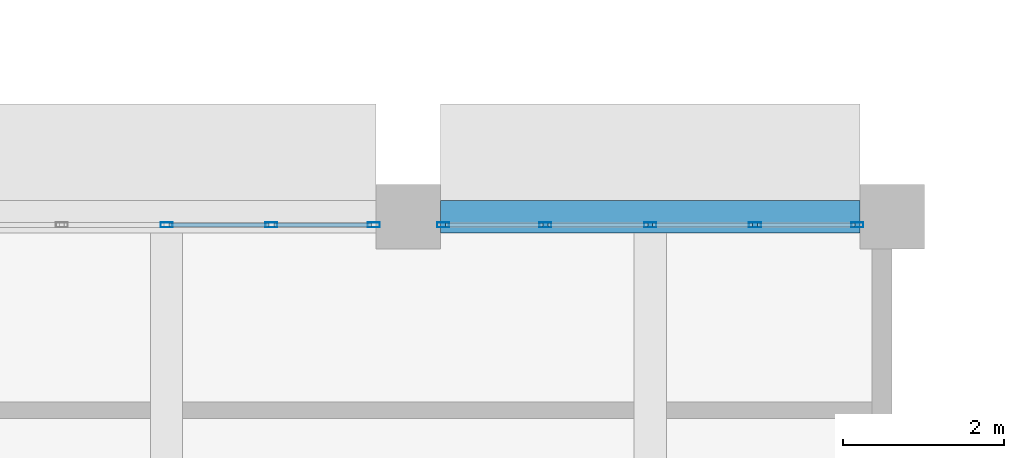
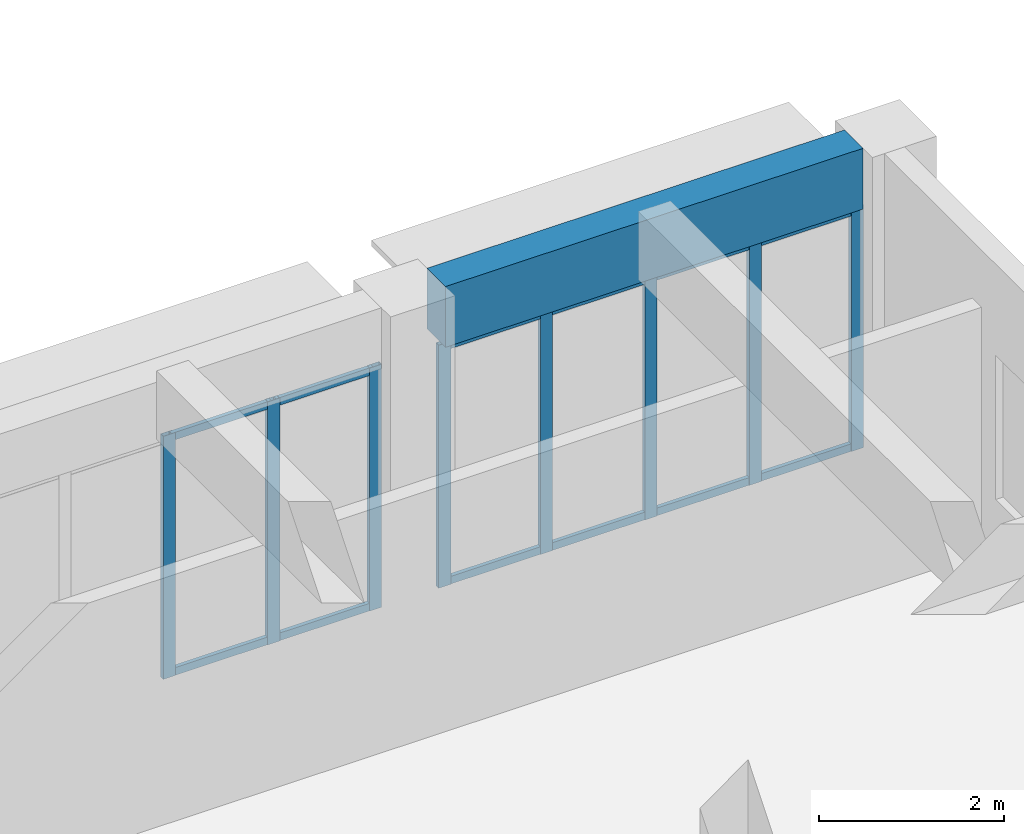
# One storey, part 41 of 101: 20 members, 1 beam, 2 elements without a shape of their own.
"""IFC4 building model written with IfcOpenShell, lengths in metres."""

import ifcopenshell
import ifcopenshell.guid

model = None  # the IFC model being written
_history = None  # IfcOwnerHistory: only IFC2X3 demands one
_inside = {}  # id of a spatial element -> (the spatial element, [elements in it])
_under = {}  # id of a project, library or spatial element -> (it, [spatial elements below it])
_declared = {}  # id of a project -> (the project, [libraries it declares])
_typed = {}  # id of a type object -> (the type object, [elements of that type])
_made_of = {}  # id of a material, layer set ... -> (it, [elements and type objects made of it])


def new_model(schema):
    """Start an empty IFC model of exactly this schema.

    Asked for "IFC4X3", IfcOpenShell would pick the latest addendum, in which some entities
    have other attributes; the version numbers below select the first issue.
    IFC2X3 requires an IfcOwnerHistory on every rooted entity: one is made here for all.
    """
    global model, _history
    if schema == "IFC4X3":
        model = ifcopenshell.file(schema_version=(4, 3, 0, 0))
    else:
        model = ifcopenshell.file(schema=schema)
    _inside.clear()
    _under.clear()
    _declared.clear()
    _typed.clear()
    _made_of.clear()
    _history = None
    if model.schema == "IFC2X3":
        org = make("IfcOrganization", Name="unknown")
        user = make(
            "IfcPersonAndOrganization",
            ThePerson=make("IfcPerson", FamilyName="unknown"),
            TheOrganization=org,
        )
        app = make(
            "IfcApplication",
            ApplicationDeveloper=org,
            Version="unknown",
            ApplicationFullName="unknown",
            ApplicationIdentifier="unknown",
        )
        _history = make(
            "IfcOwnerHistory",
            OwningUser=user,
            OwningApplication=app,
            ChangeAction="ADDED",
            CreationDate=0,
        )
    return model


def make(cls, **values):
    """One entity of the class cls with the attributes given. An attribute that is None is left unset."""
    return model.create_entity(
        cls, **{name: value for name, value in values.items() if value is not None}
    )


def rooted(cls, **values):
    """An entity with a GlobalId (a new one), such as an element, a storey or a relation."""
    return make(cls, GlobalId=ifcopenshell.guid.new(), OwnerHistory=_history, **values)


def si_unit(unit_type, name, prefix=None):
    """IfcSIUnit, for example si_unit("LENGTHUNIT", "METRE", prefix="MILLI")."""
    return make("IfcSIUnit", UnitType=unit_type, Prefix=prefix, Name=name)


def assignment(units):
    """IfcUnitAssignment: the units of a project."""
    return None if units is None else make("IfcUnitAssignment", Units=units)


def point(xyz):
    """IfcCartesianPoint."""
    return None if xyz is None else make("IfcCartesianPoint", Coordinates=xyz)


def direction(xyz):
    """IfcDirection."""
    return None if xyz is None else make("IfcDirection", DirectionRatios=xyz)


def frame(location, z_axis=None, x_axis=None):
    """IfcAxis2Placement3D, a coordinate frame: its origin and axes. An axis left out is left unset."""
    return make(
        "IfcAxis2Placement3D",
        Location=point(location),
        Axis=direction(z_axis),
        RefDirection=direction(x_axis),
    )


def frame_2d(location, x_axis=None):
    """IfcAxis2Placement2D, a coordinate frame in the plane: its origin and x axis."""
    return make(
        "IfcAxis2Placement2D", Location=point(location), RefDirection=direction(x_axis)
    )


def origin():
    """The frame at (0, 0, 0) with its axes left unset."""
    return frame((0.0, 0.0, 0.0))


def origin_2d():
    """The frame at (0, 0) in the plane with its x axis left unset."""
    return frame_2d((0.0, 0.0))


def place(relative_to, where):
    """IfcLocalPlacement: puts the frame where relative to a parent placement (None: the world)."""
    return make(
        "IfcLocalPlacement", PlacementRelTo=relative_to, RelativePlacement=where
    )


def context(
    kind, dimensions, precision=None, world=None, true_north=None, identifier=None
):
    """IfcGeometricRepresentationContext, for example the 3D "Model" context."""
    return make(
        "IfcGeometricRepresentationContext",
        ContextIdentifier=identifier,
        ContextType=kind,
        CoordinateSpaceDimension=dimensions,
        Precision=precision,
        WorldCoordinateSystem=world,
        TrueNorth=true_north,
    )


def subcontext(parent, identifier, kind, view, scale=None):
    """IfcGeometricRepresentationSubContext, for example "Body" below "Model"."""
    return make(
        "IfcGeometricRepresentationSubContext",
        ContextIdentifier=identifier,
        ContextType=kind,
        ParentContext=parent,
        TargetScale=scale,
        TargetView=view,
    )


def project(units=None, contexts=None):
    """IfcProject with its units and contexts."""
    return rooted(
        "IfcProject",
        Name="project",
        RepresentationContexts=contexts,
        UnitsInContext=assignment(units),
    )


def spatial(cls, under=None, at=None, **own):
    """A site, building, storey or space (cls), placed at a placement, below another one or the project."""
    s = rooted(cls, ObjectPlacement=at, **own)
    if under is not None:
        _under.setdefault(under.id(), (under, []))[1].append(s)
    return s


def profile(cls, at=None, kind="AREA", **sizes):
    """A parametric profile (cls). Its sizes go by their IFC names, for example OverallWidth=200.0."""
    return make(cls, ProfileType=kind, Position=at, **sizes)


def rectangle(**sizes):
    """IfcRectangleProfileDef."""
    return profile("IfcRectangleProfileDef", **sizes)


def hollow_rectangle(**sizes):
    """IfcRectangleHollowProfileDef."""
    return profile("IfcRectangleHollowProfileDef", **sizes)


def extrude(swept, where, along, depth):
    """IfcExtrudedAreaSolid: the profile swept, set in the frame where, extruded along a direction by depth."""
    return make(
        "IfcExtrudedAreaSolid",
        SweptArea=swept,
        Position=where,
        ExtrudedDirection=direction(along),
        Depth=depth,
    )


def shape(context_of_items, identifier, shape_type, items):
    """IfcShapeRepresentation: the items that make up one representation, for example the "Body"."""
    return make(
        "IfcShapeRepresentation",
        ContextOfItems=context_of_items,
        RepresentationIdentifier=identifier,
        RepresentationType=shape_type,
        Items=items,
    )


def material(Name=None, Category=None):
    """IfcMaterial."""
    return make("IfcMaterial", Name=Name, Category=Category)


def material_profile(
    of_material, cross_section, Name=None, Category=None, Priority=None
):
    """IfcMaterialProfile: a cross section and its material."""
    return make(
        "IfcMaterialProfile",
        Name=Name,
        Material=of_material,
        Profile=cross_section,
        Priority=Priority,
        Category=Category,
    )


def profile_set(profiles, Name=None, composite=None):
    """IfcMaterialProfileSet."""
    return make(
        "IfcMaterialProfileSet",
        Name=Name,
        MaterialProfiles=profiles,
        CompositeProfile=composite,
    )


def made_of(thing, what):
    """Note that an element or type object is made of a material, layer set ...; save() writes the relation."""
    if what is not None:
        _made_of.setdefault(what.id(), (what, []))[1].append(thing)
    return thing


def type_object(cls, material=None, **own):
    """A type object (cls), such as IfcWallType, which elements share."""
    return made_of(rooted(cls, **own), material)


def element(
    cls,
    number,
    at=None,
    inside=None,
    cuts=None,
    type_object=None,
    material=None,
    context=None,
    identifier="Body",
    shape_type=None,
    held_by="IfcProductDefinitionShape",
    body=None,
    shapes=None,
    **own,
):
    """One element of the class cls, such as IfcWall. Its Tag is "e" and its number.

    at: its placement. inside: the storey or other place that contains it. cuts: it is an
    opening in that element (IfcRelVoidsElement). A single representation is given by context,
    identifier, shape_type and body (its items); several are given by shapes. held_by: the class
    of the entity that holds the representations. save() writes the other relations.
    """
    e = rooted(cls, Tag="e%d" % number, ObjectPlacement=at, **own)
    if body is not None:
        shapes = [shape(context, identifier, shape_type, body)]
    if shapes is not None:
        e.Representation = make(held_by, Representations=shapes)
    if inside is not None:
        _inside.setdefault(inside.id(), (inside, []))[1].append(e)
    if cuts is not None:
        rooted(
            "IfcRelVoidsElement", RelatingBuildingElement=cuts, RelatedOpeningElement=e
        )
    if type_object is not None:
        _typed.setdefault(type_object.id(), (type_object, []))[1].append(e)
    return made_of(e, material)


def aggregate(whole, parts):
    """IfcRelAggregates: a whole, such as a stair, and the parts it consists of."""
    return rooted("IfcRelAggregates", RelatingObject=whole, RelatedObjects=parts)


def save(model, path):
    """Write the relations noted so far, then the file.

    IfcRelAggregates (storeys below a building ...), IfcRelContainedInSpatialStructure (elements
    in a storey), IfcRelDefinesByType, IfcRelAssociatesMaterial and IfcRelDeclares: one each for
    every whole, place, type object, material and project.
    """
    for whole, parts in _under.values():
        aggregate(whole, parts)
    for where, things in _inside.values():
        rooted(
            "IfcRelContainedInSpatialStructure",
            RelatedElements=things,
            RelatingStructure=where,
        )
    for kind, things in _typed.values():
        rooted("IfcRelDefinesByType", RelatedObjects=things, RelatingType=kind)
    for what, things in _made_of.values():
        rooted("IfcRelAssociatesMaterial", RelatedObjects=things, RelatingMaterial=what)
    for by, libraries in _declared.values():
        rooted("IfcRelDeclares", RelatingContext=by, RelatedDefinitions=libraries)
    model.write(path)


model = new_model("IFC4")

# Units and contexts
model_context = context("Model", 3, precision=1e-05, world=origin(), true_north=direction((0.0, 1.0)))
body_context = subcontext(model_context, "Body", "Model", "MODEL_VIEW")
ifc_project = project(units=[si_unit("LENGTHUNIT", "METRE"), si_unit("AREAUNIT", "SQUARE_METRE"), si_unit("VOLUMEUNIT", "CUBIC_METRE"), si_unit("PLANEANGLEUNIT", "RADIAN"), si_unit("MASSUNIT", "GRAM", prefix="KILO")], contexts=[model_context])

# Site, building, storey
site_placement = place(None, origin())
site = spatial("IfcSite", under=ifc_project, at=site_placement, CompositionType="ELEMENT")
building_placement = place(site_placement, origin())
building = spatial("IfcBuilding", under=site, at=building_placement, Name="Laocheng Heights Fire and Rescue Headquarters", CompositionType="ELEMENT")
storey_placement = place(building_placement, frame((0.0, 0.0, 8.39990234375)))
storey = spatial("IfcBuildingStorey", under=building, at=storey_placement, Name="L02", CompositionType="ELEMENT", Elevation=8.39990234375)

# Curtain wall, members
ifc_material_1 = material(Name="Aluminium unitised curtain wall, low-e double glazing", Category="aluminium")
curtain_wall_type = type_object("IfcCurtainWallType", Name="CW 5200 x 3200 GALLERY UNIT", PredefinedType="NOTDEFINED", material=ifc_material_1)
curtain_wall_1_placement = place(storey_placement, origin())
curtain_wall_1 = element("IfcCurtainWall", 1, at=curtain_wall_1_placement, inside=storey, type_object=curtain_wall_type, Name="Gallery north glazing L02", PredefinedType="NOTDEFINED")
ifc_material_2 = material(Name="Aluminium 6063-T5 extrusion", Category="aluminium")
ifc_material_profile_1 = material_profile(ifc_material_2, hollow_rectangle(XDim=0.06005859375, YDim=0.14990234375, WallThickness=0.0029296875, at=origin_2d()), Name="AL MULLION 150x60x3")
ifc_profile_set_1 = profile_set([ifc_material_profile_1], Name="Aluminium 6063-T5 extrusion")
member_type_1 = type_object("IfcMemberType", Name="AL CURTAIN WALL MULLION 150x60x3", PredefinedType="MULLION", material=ifc_profile_set_1)
member_1_placement = place(storey_placement, frame((63.0, 28.699951171875, 0.0), z_axis=(0.0, 0.0, 1.0), x_axis=(0.0, 1.0, 0.0)))
member_1 = element("IfcMember", 2, at=member_1_placement, type_object=member_type_1, Name="X4-E mullion 3", PredefinedType="MULLION", context=body_context, shape_type="SweptSolid", body=[
    extrude(hollow_rectangle(XDim=0.06005859375, YDim=0.14990234375, WallThickness=0.0029296875, at=origin_2d()), origin(), (0.0, 0.0, 1.0), 3.2001953125),
])
member_2_placement = place(storey_placement, frame((64.300048828125, 28.699951171875, 0.0), z_axis=(0.0, 0.0, 1.0), x_axis=(0.0, 1.0, 0.0)))
member_2 = element("IfcMember", 3, at=member_2_placement, type_object=member_type_1, Name="X4-E mullion 4", PredefinedType="MULLION", context=body_context, shape_type="SweptSolid", body=[
    extrude(hollow_rectangle(XDim=0.06005859375, YDim=0.14990234375, WallThickness=0.0029296875, at=origin_2d()), origin(), (0.0, 0.0, 1.0), 3.2001953125),
])
member_3_placement = place(storey_placement, frame((65.570068359375, 28.699951171875, 0.0), z_axis=(0.0, 0.0, 1.0), x_axis=(0.0, 1.0, 0.0)))
member_3 = element("IfcMember", 4, at=member_3_placement, type_object=member_type_1, Name="X4-E mullion 5", PredefinedType="MULLION", context=body_context, shape_type="SweptSolid", body=[
    extrude(hollow_rectangle(XDim=0.06005859375, YDim=0.14990234375, WallThickness=0.0029296875, at=origin_2d()), origin(), (0.0, 0.0, 1.0), 3.2001953125),
])

curtain_wall_2_placement = place(storey_placement, origin())
curtain_wall_2 = element("IfcCurtainWall", 5, at=curtain_wall_2_placement, inside=storey, type_object=curtain_wall_type, Name="Gallery north glazing L02", PredefinedType="NOTDEFINED")
member_4_placement = place(storey_placement, frame((66.429931640625, 28.699951171875, 0.0), z_axis=(0.0, 0.0, 1.0), x_axis=(0.0, 1.0, 0.0)))
member_4 = element("IfcMember", 6, at=member_4_placement, type_object=member_type_1, Name="X4-E mullion 1", PredefinedType="MULLION", context=body_context, shape_type="SweptSolid", body=[
    extrude(hollow_rectangle(XDim=0.06005859375, YDim=0.14990234375, WallThickness=0.0029296875, at=origin_2d()), origin(), (0.0, 0.0, 1.0), 3.2001953125),
])
member_5_placement = place(storey_placement, frame((67.699951171875, 28.699951171875, 0.0), z_axis=(0.0, 0.0, 1.0), x_axis=(0.0, 1.0, 0.0)))
member_5 = element("IfcMember", 7, at=member_5_placement, type_object=member_type_1, Name="X4-E mullion 2", PredefinedType="MULLION", context=body_context, shape_type="SweptSolid", body=[
    extrude(hollow_rectangle(XDim=0.06005859375, YDim=0.14990234375, WallThickness=0.0029296875, at=origin_2d()), origin(), (0.0, 0.0, 1.0), 3.2001953125),
])
member_6_placement = place(storey_placement, frame((69.0, 28.699951171875, 0.0), z_axis=(0.0, 0.0, 1.0), x_axis=(0.0, 1.0, 0.0)))
member_6 = element("IfcMember", 8, at=member_6_placement, type_object=member_type_1, Name="X4-E mullion 3", PredefinedType="MULLION", context=body_context, shape_type="SweptSolid", body=[
    extrude(hollow_rectangle(XDim=0.06005859375, YDim=0.14990234375, WallThickness=0.0029296875, at=origin_2d()), origin(), (0.0, 0.0, 1.0), 3.2001953125),
])
member_7_placement = place(storey_placement, frame((70.300048828125, 28.699951171875, 0.0), z_axis=(0.0, 0.0, 1.0), x_axis=(0.0, 1.0, 0.0)))
member_7 = element("IfcMember", 9, at=member_7_placement, type_object=member_type_1, Name="X4-E mullion 4", PredefinedType="MULLION", context=body_context, shape_type="SweptSolid", body=[
    extrude(hollow_rectangle(XDim=0.06005859375, YDim=0.14990234375, WallThickness=0.0029296875, at=origin_2d()), origin(), (0.0, 0.0, 1.0), 3.2001953125),
])
member_8_placement = place(storey_placement, frame((71.570068359375, 28.699951171875, 0.0), z_axis=(0.0, 0.0, 1.0), x_axis=(0.0, 1.0, 0.0)))
member_8 = element("IfcMember", 10, at=member_8_placement, type_object=member_type_1, Name="X4-E mullion 5", PredefinedType="MULLION", context=body_context, shape_type="SweptSolid", body=[
    extrude(hollow_rectangle(XDim=0.06005859375, YDim=0.14990234375, WallThickness=0.0029296875, at=origin_2d()), origin(), (0.0, 0.0, 1.0), 3.2001953125),
])

# Member
ifc_material_3 = material(Name="Aluminium 6063-T5 extrusion", Category="aluminium")
ifc_material_profile_2 = material_profile(ifc_material_3, hollow_rectangle(XDim=0.050048828125, YDim=0.10009765625, WallThickness=0.0029296875, at=origin_2d()), Name="AL TRANSOM 100x50x3")
ifc_profile_set_2 = profile_set([ifc_material_profile_2], Name="Aluminium 6063-T5 extrusion")
member_type_2 = type_object("IfcMemberType", Name="AL CURTAIN WALL TRANSOM 100x50x3", PredefinedType="USERDEFINED", material=ifc_profile_set_2)
member_9_placement = place(storey_placement, frame((63.030029296875, 28.699951171875, 0.050048828125), z_axis=(1.0, 0.0, 0.0), x_axis=(0.0, 1.0, 0.0)))
member_9 = element("IfcMember", 11, at=member_9_placement, type_object=member_type_2, Name="X4-E transom 3.1", ObjectType="TRANSOM", PredefinedType="USERDEFINED", context=body_context, shape_type="SweptSolid", body=[
    extrude(hollow_rectangle(XDim=0.050048828125, YDim=0.10009765625, WallThickness=0.0029296875, at=origin_2d()), origin(), (0.0, 0.0, 1.0), 1.239990234375),
])

member_10_placement = place(storey_placement, frame((63.030029296875, 28.699951171875, 3.150146484375), z_axis=(1.0, 0.0, 0.0), x_axis=(0.0, 1.0, 0.0)))
member_10 = element("IfcMember", 12, at=member_10_placement, type_object=member_type_2, Name="X4-E transom 3.2", ObjectType="TRANSOM", PredefinedType="USERDEFINED", context=body_context, shape_type="SweptSolid", body=[
    extrude(hollow_rectangle(XDim=0.050048828125, YDim=0.10009765625, WallThickness=0.0029296875, at=origin_2d()), origin(), (0.0, 0.0, 1.0), 1.239990234375),
])

member_11_placement = place(storey_placement, frame((64.330078125, 28.699951171875, 0.050048828125), z_axis=(1.0, 0.0, 0.0), x_axis=(0.0, 1.0, 0.0)))
member_11 = element("IfcMember", 13, at=member_11_placement, type_object=member_type_2, Name="X4-E transom 4.1", ObjectType="TRANSOM", PredefinedType="USERDEFINED", context=body_context, shape_type="SweptSolid", body=[
    extrude(hollow_rectangle(XDim=0.050048828125, YDim=0.10009765625, WallThickness=0.0029296875, at=origin_2d()), origin(), (0.0, 0.0, 1.0), 1.2099609375),
])

member_12_placement = place(storey_placement, frame((64.330078125, 28.699951171875, 3.150146484375), z_axis=(1.0, 0.0, 0.0), x_axis=(0.0, 1.0, 0.0)))
member_12 = element("IfcMember", 14, at=member_12_placement, type_object=member_type_2, Name="X4-E transom 4.2", ObjectType="TRANSOM", PredefinedType="USERDEFINED", context=body_context, shape_type="SweptSolid", body=[
    extrude(hollow_rectangle(XDim=0.050048828125, YDim=0.10009765625, WallThickness=0.0029296875, at=origin_2d()), origin(), (0.0, 0.0, 1.0), 1.2099609375),
])

aggregate(curtain_wall_1, [member_1, member_2, member_3, member_9, member_10, member_11, member_12])

member_13_placement = place(storey_placement, frame((66.4599609375, 28.699951171875, 0.050048828125), z_axis=(1.0, 0.0, 0.0), x_axis=(0.0, 1.0, 0.0)))
member_13 = element("IfcMember", 15, at=member_13_placement, type_object=member_type_2, Name="X4-E transom 1.1", ObjectType="TRANSOM", PredefinedType="USERDEFINED", context=body_context, shape_type="SweptSolid", body=[
    extrude(hollow_rectangle(XDim=0.050048828125, YDim=0.10009765625, WallThickness=0.0029296875, at=origin_2d()), origin(), (0.0, 0.0, 1.0), 1.2099609375),
])

member_14_placement = place(storey_placement, frame((66.4599609375, 28.699951171875, 3.150146484375), z_axis=(1.0, 0.0, 0.0), x_axis=(0.0, 1.0, 0.0)))
member_14 = element("IfcMember", 16, at=member_14_placement, type_object=member_type_2, Name="X4-E transom 1.2", ObjectType="TRANSOM", PredefinedType="USERDEFINED", context=body_context, shape_type="SweptSolid", body=[
    extrude(hollow_rectangle(XDim=0.050048828125, YDim=0.10009765625, WallThickness=0.0029296875, at=origin_2d()), origin(), (0.0, 0.0, 1.0), 1.2099609375),
])

member_15_placement = place(storey_placement, frame((67.72998046875, 28.699951171875, 0.050048828125), z_axis=(1.0, 0.0, 0.0), x_axis=(0.0, 1.0, 0.0)))
member_15 = element("IfcMember", 17, at=member_15_placement, type_object=member_type_2, Name="X4-E transom 2.1", ObjectType="TRANSOM", PredefinedType="USERDEFINED", context=body_context, shape_type="SweptSolid", body=[
    extrude(hollow_rectangle(XDim=0.050048828125, YDim=0.10009765625, WallThickness=0.0029296875, at=origin_2d()), origin(), (0.0, 0.0, 1.0), 1.239990234375),
])

member_16_placement = place(storey_placement, frame((67.72998046875, 28.699951171875, 3.150146484375), z_axis=(1.0, 0.0, 0.0), x_axis=(0.0, 1.0, 0.0)))
member_16 = element("IfcMember", 18, at=member_16_placement, type_object=member_type_2, Name="X4-E transom 2.2", ObjectType="TRANSOM", PredefinedType="USERDEFINED", context=body_context, shape_type="SweptSolid", body=[
    extrude(hollow_rectangle(XDim=0.050048828125, YDim=0.10009765625, WallThickness=0.0029296875, at=origin_2d()), origin(), (0.0, 0.0, 1.0), 1.239990234375),
])

member_17_placement = place(storey_placement, frame((69.030029296875, 28.699951171875, 0.050048828125), z_axis=(1.0, 0.0, 0.0), x_axis=(0.0, 1.0, 0.0)))
member_17 = element("IfcMember", 19, at=member_17_placement, type_object=member_type_2, Name="X4-E transom 3.1", ObjectType="TRANSOM", PredefinedType="USERDEFINED", context=body_context, shape_type="SweptSolid", body=[
    extrude(hollow_rectangle(XDim=0.050048828125, YDim=0.10009765625, WallThickness=0.0029296875, at=origin_2d()), origin(), (0.0, 0.0, 1.0), 1.239990234375),
])

member_18_placement = place(storey_placement, frame((69.030029296875, 28.699951171875, 3.150146484375), z_axis=(1.0, 0.0, 0.0), x_axis=(0.0, 1.0, 0.0)))
member_18 = element("IfcMember", 20, at=member_18_placement, type_object=member_type_2, Name="X4-E transom 3.2", ObjectType="TRANSOM", PredefinedType="USERDEFINED", context=body_context, shape_type="SweptSolid", body=[
    extrude(hollow_rectangle(XDim=0.050048828125, YDim=0.10009765625, WallThickness=0.0029296875, at=origin_2d()), origin(), (0.0, 0.0, 1.0), 1.239990234375),
])

member_19_placement = place(storey_placement, frame((70.330078125, 28.699951171875, 0.050048828125), z_axis=(1.0, 0.0, 0.0), x_axis=(0.0, 1.0, 0.0)))
member_19 = element("IfcMember", 21, at=member_19_placement, type_object=member_type_2, Name="X4-E transom 4.1", ObjectType="TRANSOM", PredefinedType="USERDEFINED", context=body_context, shape_type="SweptSolid", body=[
    extrude(hollow_rectangle(XDim=0.050048828125, YDim=0.10009765625, WallThickness=0.0029296875, at=origin_2d()), origin(), (0.0, 0.0, 1.0), 1.2099609375),
])

member_20_placement = place(storey_placement, frame((70.330078125, 28.699951171875, 3.150146484375), z_axis=(1.0, 0.0, 0.0), x_axis=(0.0, 1.0, 0.0)))
member_20 = element("IfcMember", 22, at=member_20_placement, type_object=member_type_2, Name="X4-E transom 4.2", ObjectType="TRANSOM", PredefinedType="USERDEFINED", context=body_context, shape_type="SweptSolid", body=[
    extrude(hollow_rectangle(XDim=0.050048828125, YDim=0.10009765625, WallThickness=0.0029296875, at=origin_2d()), origin(), (0.0, 0.0, 1.0), 1.2099609375),
])

aggregate(curtain_wall_2, [member_4, member_5, member_6, member_7, member_8, member_13, member_14, member_15, member_16, member_17, member_18, member_19, member_20])

# Beam
ifc_material_4 = material(Name="Concrete C40", Category="concrete")
ifc_material_profile_3 = material_profile(ifc_material_4, rectangle(XDim=0.39990234375, YDim=0.800048828125, at=origin_2d()), Name="RC BEAM 400x800 GALLERY FLOOR")
ifc_profile_set_3 = profile_set([ifc_material_profile_3], Name="Concrete C40")
beam_type = type_object("IfcBeamType", Name="RC BEAM 400x800 GALLERY FLOOR", PredefinedType="BEAM", material=ifc_profile_set_3)
beam_placement = place(storey_placement, frame((66.39990234375, 28.800048828125, 3.60009765625), z_axis=(1.0, 0.0, 0.0), x_axis=(0.0, 1.0, 0.0)))
element("IfcBeam", 23, at=beam_placement, inside=storey, type_object=beam_type, Name="Gallery floor beam", PredefinedType="BEAM", context=body_context, shape_type="SweptSolid", body=[
    extrude(rectangle(XDim=0.39990234375, YDim=0.800048828125, at=origin_2d()), origin(), (0.0, 0.0, 1.0), 5.2001953125),
])

save(model, "model.ifc")
